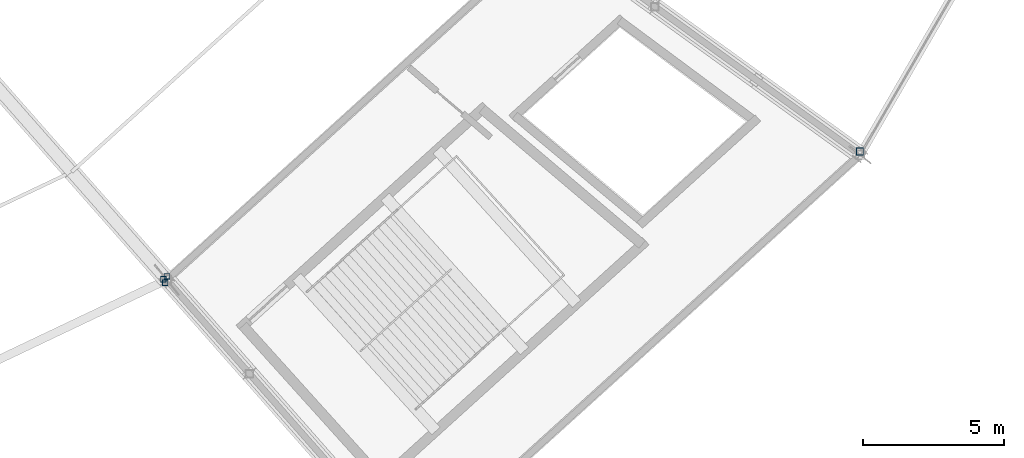
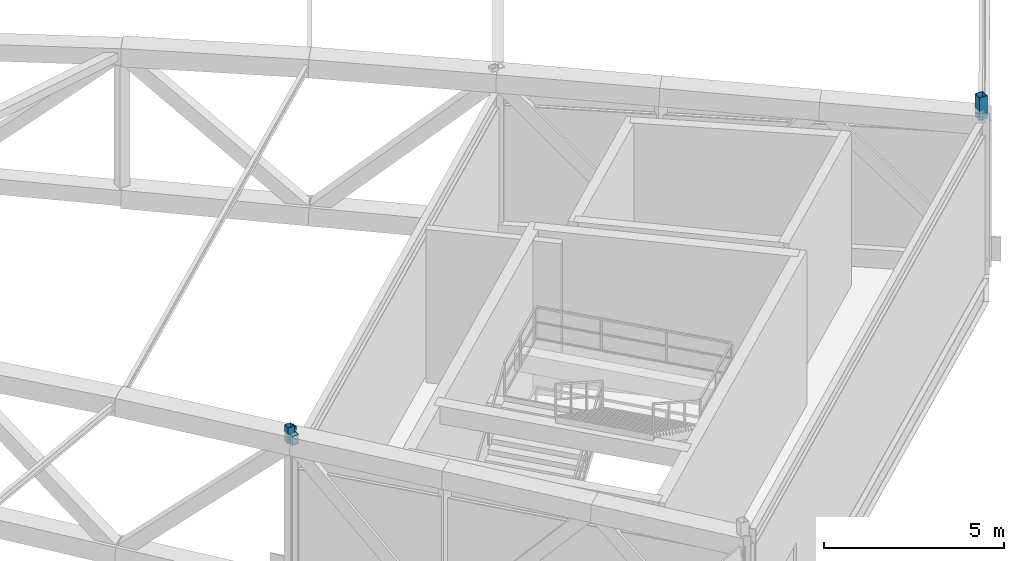
# One storey, part 113 of 162: 4 members.
"""IFC4 building model written with IfcOpenShell, lengths in metres."""

from ifc_helpers import new_model, si_unit, direction, frame, origin, origin_2d, place, context, subcontext, project, spatial, hollow_rectangle, extrude, material, material_profile, profile_set, type_object, element, save


model = new_model("IFC4")

# Units and contexts
model_context = context("Model", 3, precision=1e-05, world=origin(), true_north=direction((0.0, 1.0)))
body_context = subcontext(model_context, "Body", "Model", "MODEL_VIEW")
ifc_project = project(units=[si_unit("LENGTHUNIT", "METRE"), si_unit("AREAUNIT", "SQUARE_METRE"), si_unit("VOLUMEUNIT", "CUBIC_METRE"), si_unit("PLANEANGLEUNIT", "RADIAN"), si_unit("MASSUNIT", "GRAM", prefix="KILO")], contexts=[model_context])

# Site, building, storey
site_placement = place(None, origin())
site = spatial("IfcSite", under=ifc_project, at=site_placement, CompositionType="ELEMENT")
building_placement = place(site_placement, origin())
building = spatial("IfcBuilding", under=site, at=building_placement, Name="Kazemori Nagisa Stadium", CompositionType="ELEMENT")
storey_placement = place(building_placement, frame((0.0, 0.0, 36.719970703125)))
storey = spatial("IfcBuildingStorey", under=building, at=storey_placement, Name="RF", CompositionType="ELEMENT", Elevation=36.719970703125)

# Members
ifc_material = material(Name="Steel STKR490", Category="steel")
ifc_material_profile_1 = material_profile(ifc_material, hollow_rectangle(XDim=0.25, YDim=0.25, WallThickness=0.011962890625, at=origin_2d()), Name="SHS-250x250x12")
ifc_profile_set_1 = profile_set([ifc_material_profile_1], Name="Steel STKR490")
member_type_1 = type_object("IfcMemberType", Name="Member_ST-SHS250", PredefinedType="STUD", material=ifc_profile_set_1)
member_1_placement = place(storey_placement, frame((201.489013671875, 45.4521484375, 5.10009765625), z_axis=(0.0, 0.0, 1.0), x_axis=(1.0, 0.0, 0.0)))
element("IfcMember", 1, at=member_1_placement, inside=storey, type_object=member_type_1, Name="Canopy bearing stool B26-outer-1", PredefinedType="STUD", context=body_context, shape_type="SweptSolid", body=[
    extrude(hollow_rectangle(XDim=0.25, YDim=0.25, WallThickness=0.011962890625, at=origin_2d()), origin(), (0.0, 0.0, 1.0), 0.77490234375),
])
ifc_material_profile_2 = material_profile(ifc_material, hollow_rectangle(XDim=0.199951171875, YDim=0.199951171875, WallThickness=0.009033203125, at=origin_2d()), Name="SHS-200x200x9")
ifc_profile_set_2 = profile_set([ifc_material_profile_2], Name="Steel STKR490")
member_type_2 = type_object("IfcMemberType", Name="Member_TS-SHS200", PredefinedType="STRUT", material=ifc_profile_set_2)
member_2_placement = place(storey_placement, frame((176.779296875, 40.78271484375, 5.56005859375), z_axis=(0.0, 0.0, 1.0), x_axis=(1.0, 0.0, 0.0)))
element("IfcMember", 2, at=member_2_placement, inside=storey, type_object=member_type_2, Name="Canopy bearing stool B24-outer-3", PredefinedType="STRUT", context=body_context, shape_type="SweptSolid", body=[
    extrude(hollow_rectangle(XDim=0.199951171875, YDim=0.199951171875, WallThickness=0.009033203125, at=origin_2d()), origin(), (0.0, 0.0, 1.0), 0.31494140625),
])
member_3_placement = place(storey_placement, frame((176.7158203125, 40.90869140625, 5.56005859375), z_axis=(0.0, 0.0, 1.0), x_axis=(1.0, 0.0, 0.0)))
element("IfcMember", 3, at=member_3_placement, inside=storey, type_object=member_type_2, Name="Canopy bearing stool B24-mid-2", PredefinedType="STRUT", context=body_context, shape_type="SweptSolid", body=[
    extrude(hollow_rectangle(XDim=0.199951171875, YDim=0.199951171875, WallThickness=0.009033203125, at=origin_2d()), origin(), (0.0, 0.0, 1.0), 0.544921875),
])
member_4_placement = place(storey_placement, frame((176.845947265625, 41.0087890625, 5.56005859375), z_axis=(0.0, 0.0, 1.0), x_axis=(1.0, 0.0, 0.0)))
element("IfcMember", 4, at=member_4_placement, inside=storey, type_object=member_type_2, Name="Canopy bearing stool B25-mid-1", PredefinedType="STRUT", context=body_context, shape_type="SweptSolid", body=[
    extrude(hollow_rectangle(XDim=0.199951171875, YDim=0.199951171875, WallThickness=0.009033203125, at=origin_2d()), origin(), (0.0, 0.0, 1.0), 0.407958984375),
])

save(model, "model.ifc")
